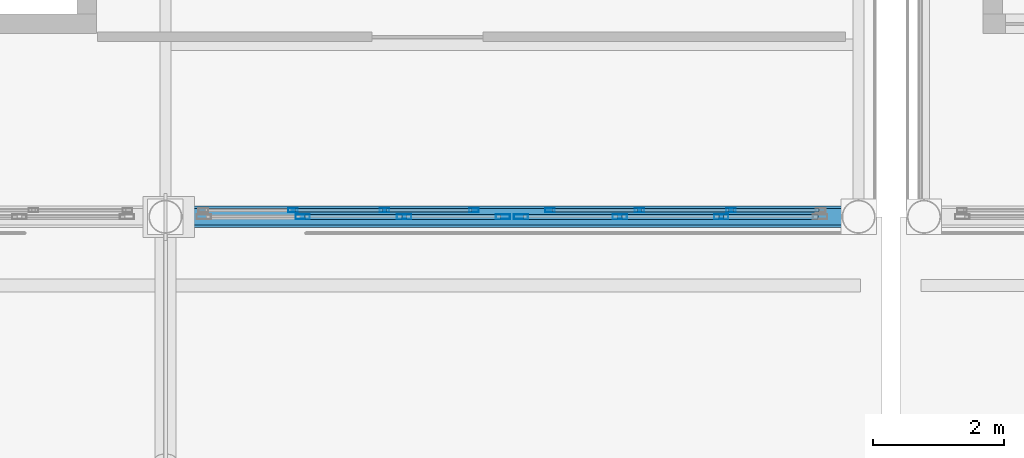
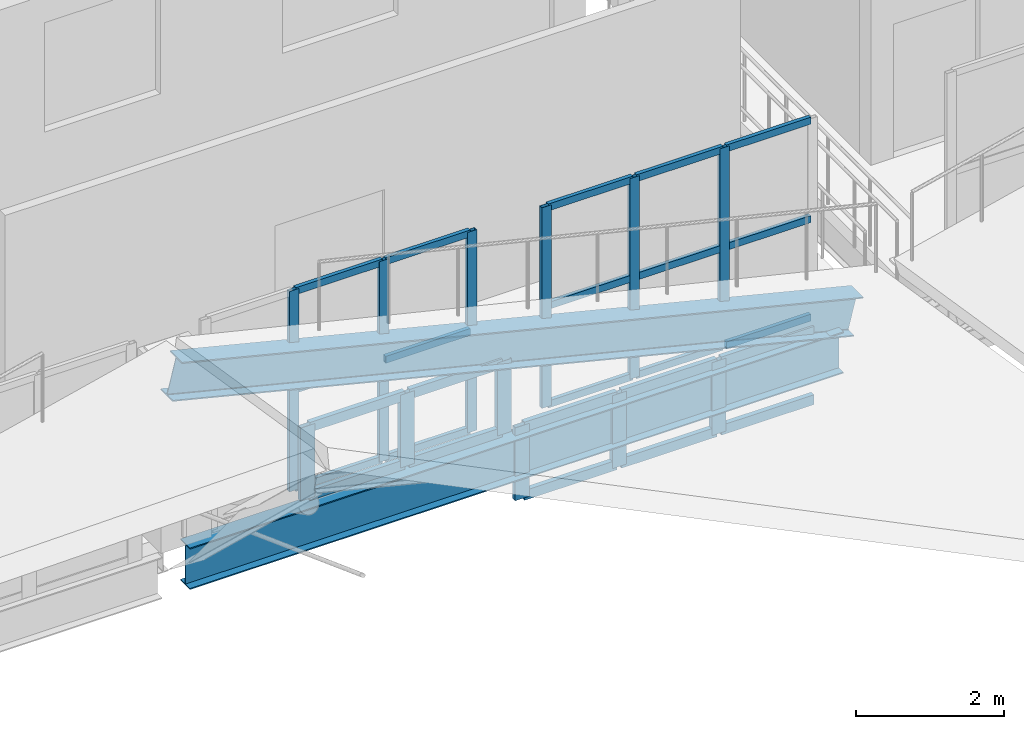
# One storey, part 43 of 120: 37 members, 2 beams, 4 elements without a shape of their own.
"""IFC4 building model written with IfcOpenShell, lengths in metres."""

from ifc_helpers import new_model, si_unit, direction, frame, origin, origin_2d, place, context, subcontext, project, spatial, hollow_rectangle, i_section, extrude, material, material_profile, profile_set, type_object, element, aggregate, save


model = new_model("IFC4")

# Units and contexts
model_context = context("Model", 3, precision=1e-05, world=origin(), true_north=direction((0.0, 1.0)))
body_context = subcontext(model_context, "Body", "Model", "MODEL_VIEW")
ifc_project = project(units=[si_unit("LENGTHUNIT", "METRE"), si_unit("AREAUNIT", "SQUARE_METRE"), si_unit("VOLUMEUNIT", "CUBIC_METRE"), si_unit("PLANEANGLEUNIT", "RADIAN"), si_unit("MASSUNIT", "GRAM", prefix="KILO")], contexts=[model_context])

# Site, building, storey
site_placement = place(None, origin())
site = spatial("IfcSite", under=ifc_project, at=site_placement, CompositionType="ELEMENT")
building_placement = place(site_placement, origin())
building = spatial("IfcBuilding", under=site, at=building_placement, Name="Caurita Quay Ferry Terminal", CompositionType="ELEMENT")
storey_placement = place(building_placement, frame((0.0, 0.0, 9.89990234375)))
storey = spatial("IfcBuildingStorey", under=building, at=storey_placement, Name="L02", CompositionType="ELEMENT", Elevation=9.89990234375)

# Beams
ifc_material_1 = material(Name="Structural steel ASTM A992 Gr. 50", Category="steel")
ifc_material_profile_1 = material_profile(ifc_material_1, i_section(OverallWidth=0.3251953125, OverallDepth=0.612060546875, WebThickness=0.0126953125, FlangeThickness=0.01904296875, FilletRadius=0.01513671875, at=origin_2d()), Name="W24X104")
ifc_profile_set_1 = profile_set([ifc_material_profile_1], Name="Structural steel ASTM A992 Gr. 50")
beam_type_1 = type_object("IfcBeamType", Name="BM-GR-W24A", PredefinedType="BEAM", material=ifc_profile_set_1)
beam_1_placement = place(storey_placement, frame((77.0, 62.699951171875, 2.610107421875), z_axis=(0.9703603414, 0.0, -0.241662590897), x_axis=(0.0, 1.0, 0.0)))
element("IfcBeam", 1, at=beam_1_placement, inside=storey, type_object=beam_type_1, Name="Folded Roof Gable Ring Girder V1-N-77", PredefinedType="BEAM", context=body_context, shape_type="SweptSolid", body=[
    extrude(i_section(OverallWidth=0.3251953125, OverallDepth=0.612060546875, WebThickness=0.0126953125, FlangeThickness=0.01904296875, FilletRadius=0.01513671875, at=origin_2d()), origin(), (0.0, 0.0, 1.0), 10.923828125),
])
ifc_material_profile_2 = material_profile(ifc_material_1, i_section(OverallWidth=0.25390625, OverallDepth=0.68310546875, WebThickness=0.012451171875, FlangeThickness=0.018798828125, at=origin_2d()), Name="W27X94")
ifc_profile_set_2 = profile_set([ifc_material_profile_2], Name="Structural steel ASTM A992 Gr. 50")
beam_type_2 = type_object("IfcBeamType", Name="BM-GR-W27B", PredefinedType="BEAM", material=ifc_profile_set_2)
beam_2_placement = place(storey_placement, frame((77.2158203125, 62.699951171875, -0.5615234375), z_axis=(1.0, 0.0, 0.0), x_axis=(0.0, 1.0, 0.0)))
element("IfcBeam", 2, at=beam_2_placement, inside=storey, type_object=beam_type_2, Name="L02 Beam BM-V1-L02-X-772-627", PredefinedType="BEAM", context=body_context, shape_type="SweptSolid", body=[
    extrude(i_section(OverallWidth=0.25390625, OverallDepth=0.68310546875, WebThickness=0.012451171875, FlangeThickness=0.018798828125, at=origin_2d()), origin(), (0.0, 0.0, 1.0), 10.168212890625),
])

# Curtain wall, members
ifc_material_2 = material(Name="Laminated solar-control insulated glass", Category="glass")
curtain_wall_type_1 = type_object("IfcCurtainWallType", Name="CW-SYS-14", PredefinedType="NOTDEFINED", material=ifc_material_2)
curtain_wall_1_placement = place(storey_placement, origin())
curtain_wall_1 = element("IfcCurtainWall", 3, at=curtain_wall_1_placement, inside=storey, type_object=curtain_wall_type_1, Name="Mezzanine Hall Overlook Glazing 103", PredefinedType="NOTDEFINED")
ifc_material_3 = material(Name="Anodized aluminium 6063-T6", Category="aluminium")
ifc_material_profile_3 = material_profile(ifc_material_3, hollow_rectangle(XDim=0.06005859375, YDim=0.14990234375, WallThickness=0.00341796875, at=origin_2d()), Name="ALU-MUL-60X150")
ifc_profile_set_3 = profile_set([ifc_material_profile_3], Name="Anodized aluminium 6063-T6")
member_type_1 = type_object("IfcMemberType", Name="CW-MUL-150", PredefinedType="MULLION", material=ifc_profile_set_3)
member_1_placement = place(storey_placement, frame((78.949951171875, 62.800048828125, 0.0), z_axis=(0.0, 0.0, 1.0), x_axis=(0.0, 1.0, 0.0)))
member_1 = element("IfcMember", 4, at=member_1_placement, type_object=member_type_1, Name="CW-MZL-103 Mullion 2", PredefinedType="MULLION", context=body_context, shape_type="SweptSolid", body=[
    extrude(hollow_rectangle(XDim=0.06005859375, YDim=0.14990234375, WallThickness=0.00341796875, at=origin_2d()), origin(), (0.0, 0.0, 1.0), 3.300048828125),
])
member_2_placement = place(storey_placement, frame((80.35009765625, 62.800048828125, 0.0), z_axis=(0.0, 0.0, 1.0), x_axis=(0.0, 1.0, 0.0)))
member_2 = element("IfcMember", 5, at=member_2_placement, type_object=member_type_1, Name="CW-MZL-103 Mullion 3", PredefinedType="MULLION", context=body_context, shape_type="SweptSolid", body=[
    extrude(hollow_rectangle(XDim=0.06005859375, YDim=0.14990234375, WallThickness=0.00341796875, at=origin_2d()), origin(), (0.0, 0.0, 1.0), 3.300048828125),
])
member_3_placement = place(storey_placement, frame((81.719970703125, 62.800048828125, 0.0), z_axis=(0.0, 0.0, 1.0), x_axis=(0.0, 1.0, 0.0)))
member_3 = element("IfcMember", 6, at=member_3_placement, type_object=member_type_1, Name="CW-MZL-103 Mullion 4", PredefinedType="MULLION", context=body_context, shape_type="SweptSolid", body=[
    extrude(hollow_rectangle(XDim=0.06005859375, YDim=0.14990234375, WallThickness=0.00341796875, at=origin_2d()), origin(), (0.0, 0.0, 1.0), 3.300048828125),
])

curtain_wall_2_placement = place(storey_placement, origin())
curtain_wall_2 = element("IfcCurtainWall", 7, at=curtain_wall_2_placement, inside=storey, type_object=curtain_wall_type_1, Name="Mezzanine Hall Overlook Glazing 104", PredefinedType="NOTDEFINED")
member_4_placement = place(storey_placement, frame((82.8798828125, 62.800048828125, 0.0), z_axis=(0.0, 0.0, 1.0), x_axis=(0.0, 1.0, 0.0)))
member_4 = element("IfcMember", 8, at=member_4_placement, type_object=member_type_1, Name="CW-MZL-104 Mullion 1", PredefinedType="MULLION", context=body_context, shape_type="SweptSolid", body=[
    extrude(hollow_rectangle(XDim=0.06005859375, YDim=0.14990234375, WallThickness=0.00341796875, at=origin_2d()), origin(), (0.0, 0.0, 1.0), 3.300048828125),
])
member_5_placement = place(storey_placement, frame((84.25, 62.800048828125, 0.0), z_axis=(0.0, 0.0, 1.0), x_axis=(0.0, 1.0, 0.0)))
member_5 = element("IfcMember", 9, at=member_5_placement, type_object=member_type_1, Name="CW-MZL-104 Mullion 2", PredefinedType="MULLION", context=body_context, shape_type="SweptSolid", body=[
    extrude(hollow_rectangle(XDim=0.06005859375, YDim=0.14990234375, WallThickness=0.00341796875, at=origin_2d()), origin(), (0.0, 0.0, 1.0), 3.300048828125),
])
member_6_placement = place(storey_placement, frame((85.64990234375, 62.800048828125, 0.0), z_axis=(0.0, 0.0, 1.0), x_axis=(0.0, 1.0, 0.0)))
member_6 = element("IfcMember", 10, at=member_6_placement, type_object=member_type_1, Name="CW-MZL-104 Mullion 3", PredefinedType="MULLION", context=body_context, shape_type="SweptSolid", body=[
    extrude(hollow_rectangle(XDim=0.06005859375, YDim=0.14990234375, WallThickness=0.00341796875, at=origin_2d()), origin(), (0.0, 0.0, 1.0), 3.300048828125),
])

curtain_wall_type_2 = type_object("IfcCurtainWallType", Name="CW-SYS-05", PredefinedType="NOTDEFINED", material=ifc_material_2)
curtain_wall_3_placement = place(storey_placement, origin())
curtain_wall_3 = element("IfcCurtainWall", 11, at=curtain_wall_3_placement, inside=storey, type_object=curtain_wall_type_2, Name="Folded Roof Clerestory FB-04-N3", PredefinedType="NOTDEFINED")
ifc_material_profile_4 = material_profile(ifc_material_3, hollow_rectangle(XDim=0.074951171875, YDim=0.219970703125, WallThickness=0.00390625, at=origin_2d()), Name="ALU-MUL-75X220")
ifc_profile_set_4 = profile_set([ifc_material_profile_4], Name="Anodized aluminium 6063-T6")
member_type_2 = type_object("IfcMemberType", Name="CW-MUL-220", PredefinedType="MULLION", material=ifc_profile_set_4)
member_7_placement = place(storey_placement, frame((79.10009765625, 62.699951171875, -0.122802734375), z_axis=(0.0, 0.0, 1.0), x_axis=(0.0, 1.0, 0.0)))
member_7 = element("IfcMember", 12, at=member_7_placement, type_object=member_type_2, Name="CW-CLR-031 Mullion 2", PredefinedType="MULLION", context=body_context, shape_type="SweptSolid", body=[
    extrude(hollow_rectangle(XDim=0.074951171875, YDim=0.219970703125, WallThickness=0.00390625, at=origin_2d()), origin(), (0.0, 0.0, 1.0), 1.199951171875),
])
member_8_placement = place(storey_placement, frame((80.64990234375, 62.699951171875, -0.122802734375), z_axis=(0.0, 0.0, 1.0), x_axis=(0.0, 1.0, 0.0)))
member_8 = element("IfcMember", 13, at=member_8_placement, type_object=member_type_2, Name="CW-CLR-031 Mullion 3", PredefinedType="MULLION", context=body_context, shape_type="SweptSolid", body=[
    extrude(hollow_rectangle(XDim=0.074951171875, YDim=0.219970703125, WallThickness=0.00390625, at=origin_2d()), origin(), (0.0, 0.0, 1.0), 1.199951171875),
])
member_9_placement = place(storey_placement, frame((82.16259765625, 62.699951171875, -0.122802734375), z_axis=(0.0, 0.0, 1.0), x_axis=(0.0, 1.0, 0.0)))
member_9 = element("IfcMember", 14, at=member_9_placement, type_object=member_type_2, Name="CW-CLR-031 Mullion 4", PredefinedType="MULLION", context=body_context, shape_type="SweptSolid", body=[
    extrude(hollow_rectangle(XDim=0.074951171875, YDim=0.219970703125, WallThickness=0.00390625, at=origin_2d()), origin(), (0.0, 0.0, 1.0), 1.199951171875),
])

curtain_wall_4_placement = place(storey_placement, origin())
curtain_wall_4 = element("IfcCurtainWall", 15, at=curtain_wall_4_placement, inside=storey, type_object=curtain_wall_type_2, Name="Folded Roof Clerestory FB-04-N4", PredefinedType="NOTDEFINED")
member_10_placement = place(storey_placement, frame((82.4375, 62.699951171875, -1.286865234375), z_axis=(0.0, 0.0, 1.0), x_axis=(0.0, 1.0, 0.0)))
member_10 = element("IfcMember", 16, at=member_10_placement, type_object=member_type_2, Name="CW-CLR-032 Mullion 1", PredefinedType="MULLION", context=body_context, shape_type="SweptSolid", body=[
    extrude(hollow_rectangle(XDim=0.074951171875, YDim=0.219970703125, WallThickness=0.00390625, at=origin_2d()), origin(), (0.0, 0.0, 1.0), 1.199951171875),
])
member_11_placement = place(storey_placement, frame((83.949951171875, 62.699951171875, -1.286865234375), z_axis=(0.0, 0.0, 1.0), x_axis=(0.0, 1.0, 0.0)))
member_11 = element("IfcMember", 17, at=member_11_placement, type_object=member_type_2, Name="CW-CLR-032 Mullion 2", PredefinedType="MULLION", context=body_context, shape_type="SweptSolid", body=[
    extrude(hollow_rectangle(XDim=0.074951171875, YDim=0.219970703125, WallThickness=0.00390625, at=origin_2d()), origin(), (0.0, 0.0, 1.0), 1.199951171875),
])
member_12_placement = place(storey_placement, frame((85.5, 62.699951171875, -1.286865234375), z_axis=(0.0, 0.0, 1.0), x_axis=(0.0, 1.0, 0.0)))
member_12 = element("IfcMember", 18, at=member_12_placement, type_object=member_type_2, Name="CW-CLR-032 Mullion 3", PredefinedType="MULLION", context=body_context, shape_type="SweptSolid", body=[
    extrude(hollow_rectangle(XDim=0.074951171875, YDim=0.219970703125, WallThickness=0.00390625, at=origin_2d()), origin(), (0.0, 0.0, 1.0), 1.199951171875),
])

# Member
ifc_material_profile_5 = material_profile(ifc_material_3, hollow_rectangle(XDim=0.06005859375, YDim=0.114990234375, WallThickness=0.00341796875, at=origin_2d()), Name="ALU-TRN-60X115")
ifc_profile_set_5 = profile_set([ifc_material_profile_5], Name="Anodized aluminium 6063-T6")
member_type_3 = type_object("IfcMemberType", Name="CW-TRN-115", PredefinedType="USERDEFINED", material=ifc_profile_set_5)
member_13_placement = place(storey_placement, frame((78.97802734375, 62.800048828125, 0.030029296875), z_axis=(1.0, 0.0, 0.0), x_axis=(0.0, 1.0, 0.0)))
member_13 = element("IfcMember", 19, at=member_13_placement, type_object=member_type_3, Name="CW-MZL-103 Transom 4", ObjectType="TRANSOM", PredefinedType="USERDEFINED", context=body_context, shape_type="SweptSolid", body=[
    extrude(hollow_rectangle(XDim=0.06005859375, YDim=0.114990234375, WallThickness=0.00341796875, at=origin_2d()), origin(), (0.0, 0.0, 1.0), 1.343994140625),
])

member_14_placement = place(storey_placement, frame((78.97802734375, 62.800048828125, 1.650146484375), z_axis=(1.0, 0.0, 0.0), x_axis=(0.0, 1.0, 0.0)))
member_14 = element("IfcMember", 20, at=member_14_placement, type_object=member_type_3, Name="CW-MZL-103 Transom 5", ObjectType="TRANSOM", PredefinedType="USERDEFINED", context=body_context, shape_type="SweptSolid", body=[
    extrude(hollow_rectangle(XDim=0.06005859375, YDim=0.114990234375, WallThickness=0.00341796875, at=origin_2d()), origin(), (0.0, 0.0, 1.0), 1.343994140625),
])

member_15_placement = place(storey_placement, frame((78.97802734375, 62.800048828125, 3.27001953125), z_axis=(1.0, 0.0, 0.0), x_axis=(0.0, 1.0, 0.0)))
member_15 = element("IfcMember", 21, at=member_15_placement, type_object=member_type_3, Name="CW-MZL-103 Transom 6", ObjectType="TRANSOM", PredefinedType="USERDEFINED", context=body_context, shape_type="SweptSolid", body=[
    extrude(hollow_rectangle(XDim=0.06005859375, YDim=0.114990234375, WallThickness=0.00341796875, at=origin_2d()), origin(), (0.0, 0.0, 1.0), 1.343994140625),
])

member_16_placement = place(storey_placement, frame((80.3779296875, 62.800048828125, 0.030029296875), z_axis=(1.0, 0.0, 0.0), x_axis=(0.0, 1.0, 0.0)))
member_16 = element("IfcMember", 22, at=member_16_placement, type_object=member_type_3, Name="CW-MZL-103 Transom 7", ObjectType="TRANSOM", PredefinedType="USERDEFINED", context=body_context, shape_type="SweptSolid", body=[
    extrude(hollow_rectangle(XDim=0.06005859375, YDim=0.114990234375, WallThickness=0.00341796875, at=origin_2d()), origin(), (0.0, 0.0, 1.0), 1.31396484375),
])

member_17_placement = place(storey_placement, frame((80.3779296875, 62.800048828125, 1.650146484375), z_axis=(1.0, 0.0, 0.0), x_axis=(0.0, 1.0, 0.0)))
member_17 = element("IfcMember", 23, at=member_17_placement, type_object=member_type_3, Name="CW-MZL-103 Transom 8", ObjectType="TRANSOM", PredefinedType="USERDEFINED", context=body_context, shape_type="SweptSolid", body=[
    extrude(hollow_rectangle(XDim=0.06005859375, YDim=0.114990234375, WallThickness=0.00341796875, at=origin_2d()), origin(), (0.0, 0.0, 1.0), 1.31396484375),
])

member_18_placement = place(storey_placement, frame((80.3779296875, 62.800048828125, 3.27001953125), z_axis=(1.0, 0.0, 0.0), x_axis=(0.0, 1.0, 0.0)))
member_18 = element("IfcMember", 24, at=member_18_placement, type_object=member_type_3, Name="CW-MZL-103 Transom 9", ObjectType="TRANSOM", PredefinedType="USERDEFINED", context=body_context, shape_type="SweptSolid", body=[
    extrude(hollow_rectangle(XDim=0.06005859375, YDim=0.114990234375, WallThickness=0.00341796875, at=origin_2d()), origin(), (0.0, 0.0, 1.0), 1.31396484375),
])

aggregate(curtain_wall_1, [member_1, member_2, member_3, member_13, member_14, member_15, member_16, member_17, member_18])

member_19_placement = place(storey_placement, frame((82.907958984375, 62.800048828125, 0.030029296875), z_axis=(1.0, 0.0, 0.0), x_axis=(0.0, 1.0, 0.0)))
member_19 = element("IfcMember", 25, at=member_19_placement, type_object=member_type_3, Name="CW-MZL-104 Transom 1", ObjectType="TRANSOM", PredefinedType="USERDEFINED", context=body_context, shape_type="SweptSolid", body=[
    extrude(hollow_rectangle(XDim=0.06005859375, YDim=0.114990234375, WallThickness=0.00341796875, at=origin_2d()), origin(), (0.0, 0.0, 1.0), 1.31396484375),
])

member_20_placement = place(storey_placement, frame((82.907958984375, 62.800048828125, 1.650146484375), z_axis=(1.0, 0.0, 0.0), x_axis=(0.0, 1.0, 0.0)))
member_20 = element("IfcMember", 26, at=member_20_placement, type_object=member_type_3, Name="CW-MZL-104 Transom 2", ObjectType="TRANSOM", PredefinedType="USERDEFINED", context=body_context, shape_type="SweptSolid", body=[
    extrude(hollow_rectangle(XDim=0.06005859375, YDim=0.114990234375, WallThickness=0.00341796875, at=origin_2d()), origin(), (0.0, 0.0, 1.0), 1.31396484375),
])

member_21_placement = place(storey_placement, frame((82.907958984375, 62.800048828125, 3.27001953125), z_axis=(1.0, 0.0, 0.0), x_axis=(0.0, 1.0, 0.0)))
member_21 = element("IfcMember", 27, at=member_21_placement, type_object=member_type_3, Name="CW-MZL-104 Transom 3", ObjectType="TRANSOM", PredefinedType="USERDEFINED", context=body_context, shape_type="SweptSolid", body=[
    extrude(hollow_rectangle(XDim=0.06005859375, YDim=0.114990234375, WallThickness=0.00341796875, at=origin_2d()), origin(), (0.0, 0.0, 1.0), 1.31396484375),
])

member_22_placement = place(storey_placement, frame((84.278076171875, 62.800048828125, 0.030029296875), z_axis=(1.0, 0.0, 0.0), x_axis=(0.0, 1.0, 0.0)))
member_22 = element("IfcMember", 28, at=member_22_placement, type_object=member_type_3, Name="CW-MZL-104 Transom 4", ObjectType="TRANSOM", PredefinedType="USERDEFINED", context=body_context, shape_type="SweptSolid", body=[
    extrude(hollow_rectangle(XDim=0.06005859375, YDim=0.114990234375, WallThickness=0.00341796875, at=origin_2d()), origin(), (0.0, 0.0, 1.0), 1.343994140625),
])

member_23_placement = place(storey_placement, frame((84.278076171875, 62.800048828125, 1.650146484375), z_axis=(1.0, 0.0, 0.0), x_axis=(0.0, 1.0, 0.0)))
member_23 = element("IfcMember", 29, at=member_23_placement, type_object=member_type_3, Name="CW-MZL-104 Transom 5", ObjectType="TRANSOM", PredefinedType="USERDEFINED", context=body_context, shape_type="SweptSolid", body=[
    extrude(hollow_rectangle(XDim=0.06005859375, YDim=0.114990234375, WallThickness=0.00341796875, at=origin_2d()), origin(), (0.0, 0.0, 1.0), 1.343994140625),
])

member_24_placement = place(storey_placement, frame((84.278076171875, 62.800048828125, 3.27001953125), z_axis=(1.0, 0.0, 0.0), x_axis=(0.0, 1.0, 0.0)))
member_24 = element("IfcMember", 30, at=member_24_placement, type_object=member_type_3, Name="CW-MZL-104 Transom 6", ObjectType="TRANSOM", PredefinedType="USERDEFINED", context=body_context, shape_type="SweptSolid", body=[
    extrude(hollow_rectangle(XDim=0.06005859375, YDim=0.114990234375, WallThickness=0.00341796875, at=origin_2d()), origin(), (0.0, 0.0, 1.0), 1.343994140625),
])

member_25_placement = place(storey_placement, frame((85.677978515625, 62.800048828125, 0.030029296875), z_axis=(1.0, 0.0, 0.0), x_axis=(0.0, 1.0, 0.0)))
member_25 = element("IfcMember", 31, at=member_25_placement, type_object=member_type_3, Name="CW-MZL-104 Transom 7", ObjectType="TRANSOM", PredefinedType="USERDEFINED", context=body_context, shape_type="SweptSolid", body=[
    extrude(hollow_rectangle(XDim=0.06005859375, YDim=0.114990234375, WallThickness=0.00341796875, at=origin_2d()), origin(), (0.0, 0.0, 1.0), 1.31396484375),
])

member_26_placement = place(storey_placement, frame((85.677978515625, 62.800048828125, 1.650146484375), z_axis=(1.0, 0.0, 0.0), x_axis=(0.0, 1.0, 0.0)))
member_26 = element("IfcMember", 32, at=member_26_placement, type_object=member_type_3, Name="CW-MZL-104 Transom 8", ObjectType="TRANSOM", PredefinedType="USERDEFINED", context=body_context, shape_type="SweptSolid", body=[
    extrude(hollow_rectangle(XDim=0.06005859375, YDim=0.114990234375, WallThickness=0.00341796875, at=origin_2d()), origin(), (0.0, 0.0, 1.0), 1.31396484375),
])

member_27_placement = place(storey_placement, frame((85.677978515625, 62.800048828125, 3.27001953125), z_axis=(1.0, 0.0, 0.0), x_axis=(0.0, 1.0, 0.0)))
member_27 = element("IfcMember", 33, at=member_27_placement, type_object=member_type_3, Name="CW-MZL-104 Transom 9", ObjectType="TRANSOM", PredefinedType="USERDEFINED", context=body_context, shape_type="SweptSolid", body=[
    extrude(hollow_rectangle(XDim=0.06005859375, YDim=0.114990234375, WallThickness=0.00341796875, at=origin_2d()), origin(), (0.0, 0.0, 1.0), 1.31396484375),
])

aggregate(curtain_wall_2, [member_4, member_5, member_6, member_19, member_20, member_21, member_22, member_23, member_24, member_25, member_26, member_27])

ifc_material_profile_6 = material_profile(ifc_material_3, hollow_rectangle(XDim=0.074951171875, YDim=0.159912109375, WallThickness=0.00390625, at=origin_2d()), Name="ALU-TRN-75X160")
ifc_profile_set_6 = profile_set([ifc_material_profile_6], Name="Anodized aluminium 6063-T6")
member_type_4 = type_object("IfcMemberType", Name="CW-TRN-160", PredefinedType="USERDEFINED", material=ifc_profile_set_6)
member_28_placement = place(storey_placement, frame((79.135498046875, 62.699951171875, -0.08544921875), z_axis=(1.0, 0.0, 0.0), x_axis=(0.0, 1.0, 0.0)))
member_28 = element("IfcMember", 34, at=member_28_placement, type_object=member_type_4, Name="CW-CLR-031 Transom 3", ObjectType="TRANSOM", PredefinedType="USERDEFINED", context=body_context, shape_type="SweptSolid", body=[
    extrude(hollow_rectangle(XDim=0.074951171875, YDim=0.159912109375, WallThickness=0.00390625, at=origin_2d()), origin(), (0.0, 0.0, 1.0), 1.47900390625),
])

member_29_placement = place(storey_placement, frame((79.135498046875, 62.699951171875, 1.03955078125), z_axis=(1.0, 0.0, 0.0), x_axis=(0.0, 1.0, 0.0)))
member_29 = element("IfcMember", 35, at=member_29_placement, type_object=member_type_4, Name="CW-CLR-031 Transom 4", ObjectType="TRANSOM", PredefinedType="USERDEFINED", context=body_context, shape_type="SweptSolid", body=[
    extrude(hollow_rectangle(XDim=0.074951171875, YDim=0.159912109375, WallThickness=0.00390625, at=origin_2d()), origin(), (0.0, 0.0, 1.0), 1.47900390625),
])

member_30_placement = place(storey_placement, frame((80.685546875, 62.699951171875, -0.08544921875), z_axis=(1.0, 0.0, 0.0), x_axis=(0.0, 1.0, 0.0)))
member_30 = element("IfcMember", 36, at=member_30_placement, type_object=member_type_4, Name="CW-CLR-031 Transom 5", ObjectType="TRANSOM", PredefinedType="USERDEFINED", context=body_context, shape_type="SweptSolid", body=[
    extrude(hollow_rectangle(XDim=0.074951171875, YDim=0.159912109375, WallThickness=0.00390625, at=origin_2d()), origin(), (0.0, 0.0, 1.0), 1.44140625),
])

member_31_placement = place(storey_placement, frame((80.685546875, 62.699951171875, 1.03955078125), z_axis=(1.0, 0.0, 0.0), x_axis=(0.0, 1.0, 0.0)))
member_31 = element("IfcMember", 37, at=member_31_placement, type_object=member_type_4, Name="CW-CLR-031 Transom 6", ObjectType="TRANSOM", PredefinedType="USERDEFINED", context=body_context, shape_type="SweptSolid", body=[
    extrude(hollow_rectangle(XDim=0.074951171875, YDim=0.159912109375, WallThickness=0.00390625, at=origin_2d()), origin(), (0.0, 0.0, 1.0), 1.44140625),
])

aggregate(curtain_wall_3, [member_7, member_8, member_9, member_28, member_29, member_30, member_31])

member_32_placement = place(storey_placement, frame((82.472900390625, 62.699951171875, -1.24951171875), z_axis=(1.0, 0.0, 0.0), x_axis=(0.0, 1.0, 0.0)))
member_32 = element("IfcMember", 38, at=member_32_placement, type_object=member_type_4, Name="CW-CLR-032 Transom 1", ObjectType="TRANSOM", PredefinedType="USERDEFINED", context=body_context, shape_type="SweptSolid", body=[
    extrude(hollow_rectangle(XDim=0.074951171875, YDim=0.159912109375, WallThickness=0.00390625, at=origin_2d()), origin(), (0.0, 0.0, 1.0), 1.441650390625),
])

member_33_placement = place(storey_placement, frame((82.472900390625, 62.699951171875, -0.12451171875), z_axis=(1.0, 0.0, 0.0), x_axis=(0.0, 1.0, 0.0)))
member_33 = element("IfcMember", 39, at=member_33_placement, type_object=member_type_4, Name="CW-CLR-032 Transom 2", ObjectType="TRANSOM", PredefinedType="USERDEFINED", context=body_context, shape_type="SweptSolid", body=[
    extrude(hollow_rectangle(XDim=0.074951171875, YDim=0.159912109375, WallThickness=0.00390625, at=origin_2d()), origin(), (0.0, 0.0, 1.0), 1.441650390625),
])

member_34_placement = place(storey_placement, frame((83.985595703125, 62.699951171875, -1.24951171875), z_axis=(1.0, 0.0, 0.0), x_axis=(0.0, 1.0, 0.0)))
member_34 = element("IfcMember", 40, at=member_34_placement, type_object=member_type_4, Name="CW-CLR-032 Transom 3", ObjectType="TRANSOM", PredefinedType="USERDEFINED", context=body_context, shape_type="SweptSolid", body=[
    extrude(hollow_rectangle(XDim=0.074951171875, YDim=0.159912109375, WallThickness=0.00390625, at=origin_2d()), origin(), (0.0, 0.0, 1.0), 1.47900390625),
])

member_35_placement = place(storey_placement, frame((83.985595703125, 62.699951171875, -0.12451171875), z_axis=(1.0, 0.0, 0.0), x_axis=(0.0, 1.0, 0.0)))
member_35 = element("IfcMember", 41, at=member_35_placement, type_object=member_type_4, Name="CW-CLR-032 Transom 4", ObjectType="TRANSOM", PredefinedType="USERDEFINED", context=body_context, shape_type="SweptSolid", body=[
    extrude(hollow_rectangle(XDim=0.074951171875, YDim=0.159912109375, WallThickness=0.00390625, at=origin_2d()), origin(), (0.0, 0.0, 1.0), 1.47900390625),
])

member_36_placement = place(storey_placement, frame((85.535400390625, 62.699951171875, -1.24951171875), z_axis=(1.0, 0.0, 0.0), x_axis=(0.0, 1.0, 0.0)))
member_36 = element("IfcMember", 42, at=member_36_placement, type_object=member_type_4, Name="CW-CLR-032 Transom 5", ObjectType="TRANSOM", PredefinedType="USERDEFINED", context=body_context, shape_type="SweptSolid", body=[
    extrude(hollow_rectangle(XDim=0.074951171875, YDim=0.159912109375, WallThickness=0.00390625, at=origin_2d()), origin(), (0.0, 0.0, 1.0), 1.441650390625),
])

member_37_placement = place(storey_placement, frame((85.535400390625, 62.699951171875, -0.12451171875), z_axis=(1.0, 0.0, 0.0), x_axis=(0.0, 1.0, 0.0)))
member_37 = element("IfcMember", 43, at=member_37_placement, type_object=member_type_4, Name="CW-CLR-032 Transom 6", ObjectType="TRANSOM", PredefinedType="USERDEFINED", context=body_context, shape_type="SweptSolid", body=[
    extrude(hollow_rectangle(XDim=0.074951171875, YDim=0.159912109375, WallThickness=0.00390625, at=origin_2d()), origin(), (0.0, 0.0, 1.0), 1.441650390625),
])

aggregate(curtain_wall_4, [member_10, member_11, member_12, member_32, member_33, member_34, member_35, member_36, member_37])

save(model, "model.ifc")
